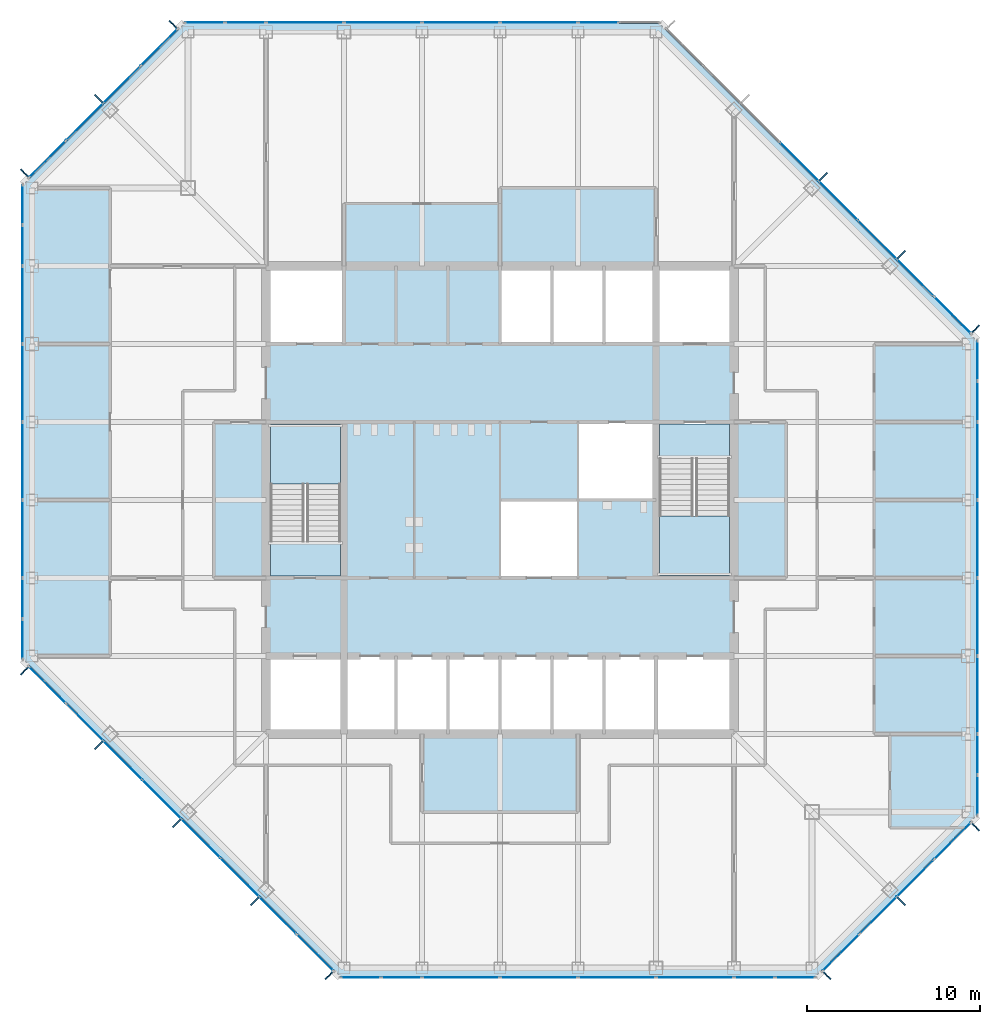
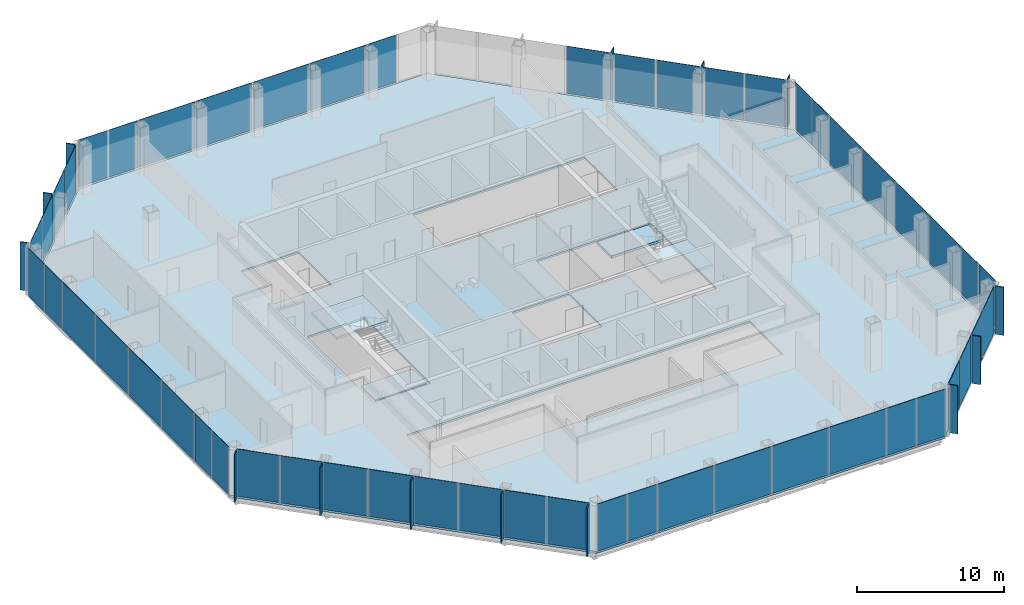
# One storey, part 7 of 13: 66 plates, 5 slabs, 10 elements without a shape of their own.
"""IFC4 building model written with IfcOpenShell, lengths in metres."""

from ifc_helpers import new_model, si_unit, direction, frame, origin, origin_2d, place, context, subcontext, project, spatial, polyline, rectangle, outline, extrude, material, layer, layer_set, type_object, element, aggregate, save


model = new_model("IFC4")

# Units and contexts
model_context = context("Model", 3, precision=1e-05, world=origin(), true_north=direction((0.0, 1.0)))
body_context = subcontext(model_context, "Body", "Model", "MODEL_VIEW")
ifc_project = project(units=[si_unit("LENGTHUNIT", "METRE"), si_unit("AREAUNIT", "SQUARE_METRE"), si_unit("VOLUMEUNIT", "CUBIC_METRE"), si_unit("PLANEANGLEUNIT", "RADIAN"), si_unit("MASSUNIT", "GRAM", prefix="KILO")], contexts=[model_context])

# Site, building, storey
site_placement = place(None, origin())
site = spatial("IfcSite", under=ifc_project, at=site_placement, CompositionType="ELEMENT")
building_placement = place(site_placement, origin())
building = spatial("IfcBuilding", under=site, at=building_placement, Name="Corais Broadcast Tower", CompositionType="ELEMENT")
storey_placement = place(building_placement, frame((0.0, 0.0, 175.60009765625)))
storey = spatial("IfcBuildingStorey", under=building, at=storey_placement, Name="L40", CompositionType="ELEMENT", Elevation=175.60009765625)

# Slab
ifc_material_1 = material(Name="Concrete C30/37", Category="concrete")
ifc_layer_1 = layer(ifc_material_1, 0.159912109375)
ifc_layer_set_1 = layer_set([ifc_layer_1], Name="Concrete C30/37")
slab_type_1 = type_object("IfcSlabType", Name="Composite floor slab 160", PredefinedType="FLOOR", material=ifc_layer_set_1)
slab_1_placement = place(storey_placement, frame((0.0, 0.0, -0.16015625)))
element("IfcSlab", 1, at=slab_1_placement, inside=storey, type_object=slab_type_1, Name="S160 floor slab L40", PredefinedType="FLOOR", context=body_context, shape_type="SweptSolid", body=[
    extrude(outline(polyline([(17.80126953125, -0.47998046875), (-0.47998046875, 17.80126953125), (-0.47998046875, 45.19873046875), (8.80126953125, 54.47998046875), (36.19873046875, 54.47998046875), (54.47998046875, 36.19873046875), (54.47998046875, 8.80126953125), (45.19873046875, -0.47998046875), (17.80126953125, -0.47998046875)]), holes=[polyline([(13.5, 18.0), (40.5, 18.0), (40.5, 13.5), (13.5, 13.5), (13.5, 18.0)]), polyline([(18.0, 22.5), (13.5, 22.5), (13.5, 31.5), (18.0, 31.5), (18.0, 22.5)]), polyline([(18.0, 36.0), (13.5, 36.0), (13.5, 40.5), (18.0, 40.5), (18.0, 36.0)]), polyline([(31.5, 22.5), (27.0, 22.5), (27.0, 27.0), (31.4951171875, 27.0), (31.4951171875, 27.0048828125), (31.5, 27.0048828125), (31.5, 31.5), (40.5, 31.5), (40.5, 22.5), (36.0, 22.5), (36.0, 27.0), (31.5048828125, 27.0), (31.5048828125, 26.9951171875), (31.5, 26.9951171875), (31.5, 22.5)]), polyline([(27.0, 40.5), (40.5, 40.5), (40.5, 36.0), (27.0, 36.0), (27.0, 40.5)])]), origin(), (0.0, 0.0, 1.0), 0.16015625),
])

# Curtain wall, plates
ifc_material_2 = material(Name="Aluminium and glass", Category="aluminium")
curtain_wall_type = type_object("IfcCurtainWallType", Name="Unitised fritted curtain wall CW2", PredefinedType="NOTDEFINED", material=ifc_material_2)
curtain_wall_1_placement = place(storey_placement, origin())
curtain_wall_1 = element("IfcCurtainWall", 2, at=curtain_wall_1_placement, inside=storey, type_object=curtain_wall_type, Name="CW2 curtain wall L40 1", PredefinedType="NOTDEFINED")
ifc_material_3 = material(Name="Ceramic-fritted laminated glass", Category="glass")
ifc_layer_2 = layer(ifc_material_3, 0.028076171875)
ifc_layer_set_2 = layer_set([ifc_layer_2], Name="Ceramic-fritted laminated glass")
plate_type_1 = type_object("IfcPlateType", Name="Fritted glass panel CW2", PredefinedType="CURTAIN_PANEL", material=ifc_layer_set_2)
plate_1_placement = place(storey_placement, frame((16.330322265625, 0.891845703125, 0.06494140625), z_axis=(0.0, 0.0, 1.0), x_axis=(-0.707106781187, 0.707106781187, 0.0)))
plate_1 = element("IfcPlate", 3, at=plate_1_placement, type_object=plate_type_1, Name="CW2 panel 1", PredefinedType="CURTAIN_PANEL", context=body_context, shape_type="SweptSolid", body=[
    extrude(rectangle(XDim=2.9482421875, YDim=0.028076171875, at=origin_2d()), origin(), (0.0, 0.0, 1.0), 3.93505859375),
])
plate_2_placement = place(storey_placement, frame((11.986083984375, 5.236083984375, 0.06494140625), z_axis=(0.0, 0.0, 1.0), x_axis=(-0.707106781187, 0.707106781187, 0.0)))
plate_2 = element("IfcPlate", 4, at=plate_2_placement, type_object=plate_type_1, Name="CW2 panel 3", PredefinedType="CURTAIN_PANEL", context=body_context, shape_type="SweptSolid", body=[
    extrude(rectangle(XDim=3.116943359375, YDim=0.028076171875, at=origin_2d()), origin(), (0.0, 0.0, 1.0), 3.93505859375),
])
plate_3_placement = place(storey_placement, frame((7.486083984375, 9.736083984375, 0.06494140625), z_axis=(0.0, 0.0, 1.0), x_axis=(-0.707106781187, 0.707106781187, 0.0)))
plate_3 = element("IfcPlate", 5, at=plate_3_placement, type_object=plate_type_1, Name="CW2 panel 5", PredefinedType="CURTAIN_PANEL", context=body_context, shape_type="SweptSolid", body=[
    extrude(rectangle(XDim=3.116943359375, YDim=0.028076171875, at=origin_2d()), origin(), (0.0, 0.0, 1.0), 3.93505859375),
])
plate_4_placement = place(storey_placement, frame((3.0341796875, 14.18798828125, 0.06494140625), z_axis=(0.0, 0.0, 1.0), x_axis=(-0.707106781187, 0.707106781187, 0.0)))
plate_4 = element("IfcPlate", 6, at=plate_4_placement, type_object=plate_type_1, Name="CW2 panel 7", PredefinedType="CURTAIN_PANEL", context=body_context, shape_type="SweptSolid", body=[
    extrude(rectangle(XDim=2.98095703125, YDim=0.028076171875, at=origin_2d()), origin(), (0.0, 0.0, 1.0), 3.93505859375),
])

curtain_wall_2_placement = place(storey_placement, origin())
curtain_wall_2 = element("IfcCurtainWall", 7, at=curtain_wall_2_placement, inside=storey, type_object=curtain_wall_type, Name="CW2 curtain wall L40 2", PredefinedType="NOTDEFINED")
plate_5_placement = place(storey_placement, frame((-0.550048828125, 18.970458984375, 0.06494140625), z_axis=(0.0, 0.0, 1.0), x_axis=(0.0, 1.0, 0.0)))
plate_5 = element("IfcPlate", 8, at=plate_5_placement, type_object=plate_type_1, Name="CW2 panel 1", PredefinedType="CURTAIN_PANEL", context=body_context, shape_type="SweptSolid", body=[
    extrude(rectangle(XDim=2.266357421875, YDim=0.028076171875, at=origin_2d()), origin(), (0.0, 0.0, 1.0), 3.93505859375),
])
plate_6_placement = place(storey_placement, frame((-0.550048828125, 24.75, 0.06494140625), z_axis=(0.0, 0.0, 1.0), x_axis=(0.0, 1.0, 0.0)))
plate_6 = element("IfcPlate", 9, at=plate_6_placement, type_object=plate_type_1, Name="CW2 panel 3", PredefinedType="CURTAIN_PANEL", context=body_context, shape_type="SweptSolid", body=[
    extrude(rectangle(XDim=4.43505859375, YDim=0.028076171875, at=origin_2d()), origin(), (0.0, 0.0, 1.0), 3.93505859375),
])
plate_7_placement = place(storey_placement, frame((-0.550048828125, 33.75, 0.06494140625), z_axis=(0.0, 0.0, 1.0), x_axis=(0.0, 1.0, 0.0)))
plate_7 = element("IfcPlate", 10, at=plate_7_placement, type_object=plate_type_1, Name="CW2 panel 5", PredefinedType="CURTAIN_PANEL", context=body_context, shape_type="SweptSolid", body=[
    extrude(rectangle(XDim=4.43505859375, YDim=0.028076171875, at=origin_2d()), origin(), (0.0, 0.0, 1.0), 3.93505859375),
])
plate_8_placement = place(storey_placement, frame((-0.550048828125, 41.681884765625, 0.06494140625), z_axis=(0.0, 0.0, 1.0), x_axis=(0.0, 1.0, 0.0)))
plate_8 = element("IfcPlate", 11, at=plate_8_placement, type_object=plate_type_1, Name="CW2 panel 7", PredefinedType="CURTAIN_PANEL", context=body_context, shape_type="SweptSolid", body=[
    extrude(rectangle(XDim=2.298828125, YDim=0.028076171875, at=origin_2d()), origin(), (0.0, 0.0, 1.0), 3.93505859375),
])

curtain_wall_3_placement = place(storey_placement, origin())
curtain_wall_3 = element("IfcCurtainWall", 12, at=curtain_wall_3_placement, inside=storey, type_object=curtain_wall_type, Name="CW2 curtain wall L40 3", PredefinedType="NOTDEFINED")
plate_9_placement = place(storey_placement, frame((0.891845703125, 46.669677734375, 0.06494140625), z_axis=(0.0, 0.0, 1.0), x_axis=(0.707106781187, 0.707106781187, 0.0)))
plate_9 = element("IfcPlate", 13, at=plate_9_placement, type_object=plate_type_1, Name="CW2 panel 1", PredefinedType="CURTAIN_PANEL", context=body_context, shape_type="SweptSolid", body=[
    extrude(rectangle(XDim=2.9482421875, YDim=0.028076171875, at=origin_2d()), origin(), (0.0, 0.0, 1.0), 3.93505859375),
])
plate_10_placement = place(storey_placement, frame((5.18798828125, 50.9658203125, 0.06494140625), z_axis=(0.0, 0.0, 1.0), x_axis=(0.707106781187, 0.707106781187, 0.0)))
plate_10 = element("IfcPlate", 14, at=plate_10_placement, type_object=plate_type_1, Name="CW2 panel 3", PredefinedType="CURTAIN_PANEL", context=body_context, shape_type="SweptSolid", body=[
    extrude(rectangle(XDim=2.98095703125, YDim=0.028076171875, at=origin_2d()), origin(), (0.0, 0.0, 1.0), 3.93505859375),
])

curtain_wall_4_placement = place(storey_placement, origin())
curtain_wall_4 = element("IfcCurtainWall", 15, at=curtain_wall_4_placement, inside=storey, type_object=curtain_wall_type, Name="CW2 curtain wall L40 4", PredefinedType="NOTDEFINED")
plate_11_placement = place(storey_placement, frame((9.970458984375, 54.550048828125, 0.06494140625), z_axis=(0.0, 0.0, 1.0), x_axis=(1.0, 0.0, 0.0)))
plate_11 = element("IfcPlate", 16, at=plate_11_placement, type_object=plate_type_1, Name="CW2 panel 1", PredefinedType="CURTAIN_PANEL", context=body_context, shape_type="SweptSolid", body=[
    extrude(rectangle(XDim=2.266357421875, YDim=0.028076171875, at=origin_2d()), origin(), (0.0, 0.0, 1.0), 3.93505859375),
])
plate_12_placement = place(storey_placement, frame((15.75, 54.550048828125, 0.06494140625), z_axis=(0.0, 0.0, 1.0), x_axis=(1.0, 0.0, 0.0)))
plate_12 = element("IfcPlate", 17, at=plate_12_placement, type_object=plate_type_1, Name="CW2 panel 3", PredefinedType="CURTAIN_PANEL", context=body_context, shape_type="SweptSolid", body=[
    extrude(rectangle(XDim=4.43505859375, YDim=0.028076171875, at=origin_2d()), origin(), (0.0, 0.0, 1.0), 3.93505859375),
])
plate_13_placement = place(storey_placement, frame((24.75, 54.550048828125, 0.06494140625), z_axis=(0.0, 0.0, 1.0), x_axis=(1.0, 0.0, 0.0)))
plate_13 = element("IfcPlate", 18, at=plate_13_placement, type_object=plate_type_1, Name="CW2 panel 5", PredefinedType="CURTAIN_PANEL", context=body_context, shape_type="SweptSolid", body=[
    extrude(rectangle(XDim=4.43505859375, YDim=0.028076171875, at=origin_2d()), origin(), (0.0, 0.0, 1.0), 3.93505859375),
])
plate_14_placement = place(storey_placement, frame((32.681884765625, 54.550048828125, 0.06494140625), z_axis=(0.0, 0.0, 1.0), x_axis=(1.0, 0.0, 0.0)))
plate_14 = element("IfcPlate", 19, at=plate_14_placement, type_object=plate_type_1, Name="CW2 panel 7", PredefinedType="CURTAIN_PANEL", context=body_context, shape_type="SweptSolid", body=[
    extrude(rectangle(XDim=2.298828125, YDim=0.028076171875, at=origin_2d()), origin(), (0.0, 0.0, 1.0), 3.93505859375),
])

curtain_wall_5_placement = place(storey_placement, origin())
curtain_wall_5 = element("IfcCurtainWall", 20, at=curtain_wall_5_placement, inside=storey, type_object=curtain_wall_type, Name="CW2 curtain wall L40 5", PredefinedType="NOTDEFINED")
plate_15_placement = place(storey_placement, frame((46.513916015625, 44.263916015625, 0.06494140625), z_axis=(0.0, 0.0, 1.0), x_axis=(0.707106781187, -0.707106781187, 0.0)))
plate_15 = element("IfcPlate", 21, at=plate_15_placement, type_object=plate_type_1, Name="CW2 panel 5", PredefinedType="CURTAIN_PANEL", context=body_context, shape_type="SweptSolid", body=[
    extrude(rectangle(XDim=3.116943359375, YDim=0.028076171875, at=origin_2d()), origin(), (0.0, 0.0, 1.0), 3.93505859375),
])
plate_16_placement = place(storey_placement, frame((50.9658203125, 39.81201171875, 0.06494140625), z_axis=(0.0, 0.0, 1.0), x_axis=(0.707106781187, -0.707106781187, 0.0)))
plate_16 = element("IfcPlate", 22, at=plate_16_placement, type_object=plate_type_1, Name="CW2 panel 7", PredefinedType="CURTAIN_PANEL", context=body_context, shape_type="SweptSolid", body=[
    extrude(rectangle(XDim=2.98095703125, YDim=0.028076171875, at=origin_2d()), origin(), (0.0, 0.0, 1.0), 3.93505859375),
])

curtain_wall_6_placement = place(storey_placement, origin())
curtain_wall_6 = element("IfcCurtainWall", 23, at=curtain_wall_6_placement, inside=storey, type_object=curtain_wall_type, Name="CW2 curtain wall L40 6", PredefinedType="NOTDEFINED")
plate_17_placement = place(storey_placement, frame((54.550048828125, 35.029541015625, 0.06494140625), z_axis=(0.0, 0.0, 1.0), x_axis=(0.0, -1.0, 0.0)))
plate_17 = element("IfcPlate", 24, at=plate_17_placement, type_object=plate_type_1, Name="CW2 panel 1", PredefinedType="CURTAIN_PANEL", context=body_context, shape_type="SweptSolid", body=[
    extrude(rectangle(XDim=2.266357421875, YDim=0.028076171875, at=origin_2d()), origin(), (0.0, 0.0, 1.0), 3.93505859375),
])
plate_18_placement = place(storey_placement, frame((54.550048828125, 29.25, 0.06494140625), z_axis=(0.0, 0.0, 1.0), x_axis=(0.0, -1.0, 0.0)))
plate_18 = element("IfcPlate", 25, at=plate_18_placement, type_object=plate_type_1, Name="CW2 panel 3", PredefinedType="CURTAIN_PANEL", context=body_context, shape_type="SweptSolid", body=[
    extrude(rectangle(XDim=4.43505859375, YDim=0.028076171875, at=origin_2d()), origin(), (0.0, 0.0, 1.0), 3.93505859375),
])
plate_19_placement = place(storey_placement, frame((54.550048828125, 20.25, 0.06494140625), z_axis=(0.0, 0.0, 1.0), x_axis=(0.0, -1.0, 0.0)))
plate_19 = element("IfcPlate", 26, at=plate_19_placement, type_object=plate_type_1, Name="CW2 panel 5", PredefinedType="CURTAIN_PANEL", context=body_context, shape_type="SweptSolid", body=[
    extrude(rectangle(XDim=4.43505859375, YDim=0.028076171875, at=origin_2d()), origin(), (0.0, 0.0, 1.0), 3.93505859375),
])
plate_20_placement = place(storey_placement, frame((54.550048828125, 12.318115234375, 0.06494140625), z_axis=(0.0, 0.0, 1.0), x_axis=(0.0, -1.0, 0.0)))
plate_20 = element("IfcPlate", 27, at=plate_20_placement, type_object=plate_type_1, Name="CW2 panel 7", PredefinedType="CURTAIN_PANEL", context=body_context, shape_type="SweptSolid", body=[
    extrude(rectangle(XDim=2.298828125, YDim=0.028076171875, at=origin_2d()), origin(), (0.0, 0.0, 1.0), 3.93505859375),
])

curtain_wall_7_placement = place(storey_placement, origin())
curtain_wall_7 = element("IfcCurtainWall", 28, at=curtain_wall_7_placement, inside=storey, type_object=curtain_wall_type, Name="CW2 curtain wall L40 7", PredefinedType="NOTDEFINED")
plate_21_placement = place(storey_placement, frame((53.108154296875, 7.330322265625, 0.06494140625), z_axis=(0.0, 0.0, 1.0), x_axis=(-0.707106781187, -0.707106781187, 0.0)))
plate_21 = element("IfcPlate", 29, at=plate_21_placement, type_object=plate_type_1, Name="CW2 panel 1", PredefinedType="CURTAIN_PANEL", context=body_context, shape_type="SweptSolid", body=[
    extrude(rectangle(XDim=2.9482421875, YDim=0.028076171875, at=origin_2d()), origin(), (0.0, 0.0, 1.0), 3.93505859375),
])
plate_22_placement = place(storey_placement, frame((48.81201171875, 3.0341796875, 0.06494140625), z_axis=(0.0, 0.0, 1.0), x_axis=(-0.707106781187, -0.707106781187, 0.0)))
plate_22 = element("IfcPlate", 30, at=plate_22_placement, type_object=plate_type_1, Name="CW2 panel 3", PredefinedType="CURTAIN_PANEL", context=body_context, shape_type="SweptSolid", body=[
    extrude(rectangle(XDim=2.98095703125, YDim=0.028076171875, at=origin_2d()), origin(), (0.0, 0.0, 1.0), 3.93505859375),
])

curtain_wall_8_placement = place(storey_placement, origin())
curtain_wall_8 = element("IfcCurtainWall", 31, at=curtain_wall_8_placement, inside=storey, type_object=curtain_wall_type, Name="CW2 curtain wall L40 8", PredefinedType="NOTDEFINED")
plate_23_placement = place(storey_placement, frame((44.029541015625, -0.550048828125, 0.06494140625), z_axis=(0.0, 0.0, 1.0), x_axis=(-1.0, 0.0, 0.0)))
plate_23 = element("IfcPlate", 32, at=plate_23_placement, type_object=plate_type_1, Name="CW2 panel 1", PredefinedType="CURTAIN_PANEL", context=body_context, shape_type="SweptSolid", body=[
    extrude(rectangle(XDim=2.266357421875, YDim=0.028076171875, at=origin_2d()), origin(), (0.0, 0.0, 1.0), 3.93505859375),
])
plate_24_placement = place(storey_placement, frame((38.25, -0.550048828125, 0.06494140625), z_axis=(0.0, 0.0, 1.0), x_axis=(-1.0, 0.0, 0.0)))
plate_24 = element("IfcPlate", 33, at=plate_24_placement, type_object=plate_type_1, Name="CW2 panel 3", PredefinedType="CURTAIN_PANEL", context=body_context, shape_type="SweptSolid", body=[
    extrude(rectangle(XDim=4.43505859375, YDim=0.028076171875, at=origin_2d()), origin(), (0.0, 0.0, 1.0), 3.93505859375),
])
plate_25_placement = place(storey_placement, frame((29.25, -0.550048828125, 0.06494140625), z_axis=(0.0, 0.0, 1.0), x_axis=(-1.0, 0.0, 0.0)))
plate_25 = element("IfcPlate", 34, at=plate_25_placement, type_object=plate_type_1, Name="CW2 panel 5", PredefinedType="CURTAIN_PANEL", context=body_context, shape_type="SweptSolid", body=[
    extrude(rectangle(XDim=4.43505859375, YDim=0.028076171875, at=origin_2d()), origin(), (0.0, 0.0, 1.0), 3.93505859375),
])
plate_26_placement = place(storey_placement, frame((21.318115234375, -0.550048828125, 0.06494140625), z_axis=(0.0, 0.0, 1.0), x_axis=(-1.0, 0.0, 0.0)))
plate_26 = element("IfcPlate", 35, at=plate_26_placement, type_object=plate_type_1, Name="CW2 panel 7", PredefinedType="CURTAIN_PANEL", context=body_context, shape_type="SweptSolid", body=[
    extrude(rectangle(XDim=2.298828125, YDim=0.028076171875, at=origin_2d()), origin(), (0.0, 0.0, 1.0), 3.93505859375),
])

# Plate
ifc_material_4 = material(Name="Clear laminated glass", Category="glass")
ifc_layer_3 = layer(ifc_material_4, 0.031982421875)
ifc_layer_set_3 = layer_set([ifc_layer_3], Name="Clear laminated glass")
plate_type_2 = type_object("IfcPlateType", Name="Operable glass panel CW2", PredefinedType="CURTAIN_PANEL", material=ifc_layer_set_3)
plate_27_placement = place(storey_placement, frame((14.18798828125, 3.0341796875, 0.06494140625), z_axis=(0.0, 0.0, 1.0), x_axis=(-0.707106781187, 0.707106781187, 0.0)))
plate_27 = element("IfcPlate", 36, at=plate_27_placement, type_object=plate_type_2, Name="CW2 operable panel 2", PredefinedType="CURTAIN_PANEL", context=body_context, shape_type="SweptSolid", body=[
    extrude(rectangle(XDim=2.98095703125, YDim=0.031982421875, at=origin_2d()), origin(), (0.0, 0.0, 1.0), 3.93505859375),
])

plate_28_placement = place(storey_placement, frame((9.736083984375, 7.486083984375, 0.06494140625), z_axis=(0.0, 0.0, 1.0), x_axis=(-0.707106781187, 0.707106781187, 0.0)))
plate_28 = element("IfcPlate", 37, at=plate_28_placement, type_object=plate_type_2, Name="CW2 operable panel 4", PredefinedType="CURTAIN_PANEL", context=body_context, shape_type="SweptSolid", body=[
    extrude(rectangle(XDim=3.116943359375, YDim=0.031982421875, at=origin_2d()), origin(), (0.0, 0.0, 1.0), 3.93505859375),
])

plate_29_placement = place(storey_placement, frame((5.236083984375, 11.986083984375, 0.06494140625), z_axis=(0.0, 0.0, 1.0), x_axis=(-0.707106781187, 0.707106781187, 0.0)))
plate_29 = element("IfcPlate", 38, at=plate_29_placement, type_object=plate_type_2, Name="CW2 operable panel 6", PredefinedType="CURTAIN_PANEL", context=body_context, shape_type="SweptSolid", body=[
    extrude(rectangle(XDim=3.116943359375, YDim=0.031982421875, at=origin_2d()), origin(), (0.0, 0.0, 1.0), 3.93505859375),
])

plate_30_placement = place(storey_placement, frame((0.89208984375, 16.330322265625, 0.06494140625), z_axis=(0.0, 0.0, 1.0), x_axis=(-0.707106781187, 0.707106781187, 0.0)))
plate_30 = element("IfcPlate", 39, at=plate_30_placement, type_object=plate_type_2, Name="CW2 operable panel 8", PredefinedType="CURTAIN_PANEL", context=body_context, shape_type="SweptSolid", body=[
    extrude(rectangle(XDim=2.948486328125, YDim=0.031982421875, at=origin_2d()), origin(), (0.0, 0.0, 1.0), 3.93505859375),
])

aggregate(curtain_wall_1, [plate_1, plate_27, plate_2, plate_28, plate_3, plate_29, plate_4, plate_30])

plate_31_placement = place(storey_placement, frame((-0.550048828125, 21.318115234375, 0.06494140625), z_axis=(0.0, 0.0, 1.0), x_axis=(0.0, 1.0, 0.0)))
plate_31 = element("IfcPlate", 40, at=plate_31_placement, type_object=plate_type_2, Name="CW2 operable panel 2", PredefinedType="CURTAIN_PANEL", context=body_context, shape_type="SweptSolid", body=[
    extrude(rectangle(XDim=2.298828125, YDim=0.031982421875, at=origin_2d()), origin(), (0.0, 0.0, 1.0), 3.93505859375),
])

plate_32_placement = place(storey_placement, frame((-0.550048828125, 29.25, 0.06494140625), z_axis=(0.0, 0.0, 1.0), x_axis=(0.0, 1.0, 0.0)))
plate_32 = element("IfcPlate", 41, at=plate_32_placement, type_object=plate_type_2, Name="CW2 operable panel 4", PredefinedType="CURTAIN_PANEL", context=body_context, shape_type="SweptSolid", body=[
    extrude(rectangle(XDim=4.43505859375, YDim=0.031982421875, at=origin_2d()), origin(), (0.0, 0.0, 1.0), 3.93505859375),
])

plate_33_placement = place(storey_placement, frame((-0.550048828125, 38.25, 0.06494140625), z_axis=(0.0, 0.0, 1.0), x_axis=(0.0, 1.0, 0.0)))
plate_33 = element("IfcPlate", 42, at=plate_33_placement, type_object=plate_type_2, Name="CW2 operable panel 6", PredefinedType="CURTAIN_PANEL", context=body_context, shape_type="SweptSolid", body=[
    extrude(rectangle(XDim=4.43505859375, YDim=0.031982421875, at=origin_2d()), origin(), (0.0, 0.0, 1.0), 3.93505859375),
])

plate_34_placement = place(storey_placement, frame((-0.550048828125, 44.029541015625, 0.06494140625), z_axis=(0.0, 0.0, 1.0), x_axis=(0.0, 1.0, 0.0)))
plate_34 = element("IfcPlate", 43, at=plate_34_placement, type_object=plate_type_2, Name="CW2 operable panel 8", PredefinedType="CURTAIN_PANEL", context=body_context, shape_type="SweptSolid", body=[
    extrude(rectangle(XDim=2.266357421875, YDim=0.031982421875, at=origin_2d()), origin(), (0.0, 0.0, 1.0), 3.93505859375),
])

aggregate(curtain_wall_2, [plate_5, plate_31, plate_6, plate_32, plate_7, plate_33, plate_8, plate_34])

plate_35_placement = place(storey_placement, frame((3.0341796875, 48.81201171875, 0.06494140625), z_axis=(0.0, 0.0, 1.0), x_axis=(0.707106781187, 0.707106781187, 0.0)))
plate_35 = element("IfcPlate", 44, at=plate_35_placement, type_object=plate_type_2, Name="CW2 operable panel 2", PredefinedType="CURTAIN_PANEL", context=body_context, shape_type="SweptSolid", body=[
    extrude(rectangle(XDim=2.98095703125, YDim=0.031982421875, at=origin_2d()), origin(), (0.0, 0.0, 1.0), 3.93505859375),
])

plate_36_placement = place(storey_placement, frame((7.330322265625, 53.10791015625, 0.06494140625), z_axis=(0.0, 0.0, 1.0), x_axis=(0.707106781187, 0.707106781187, 0.0)))
plate_36 = element("IfcPlate", 45, at=plate_36_placement, type_object=plate_type_2, Name="CW2 operable panel 4", PredefinedType="CURTAIN_PANEL", context=body_context, shape_type="SweptSolid", body=[
    extrude(rectangle(XDim=2.948486328125, YDim=0.031982421875, at=origin_2d()), origin(), (0.0, 0.0, 1.0), 3.93505859375),
])

aggregate(curtain_wall_3, [plate_9, plate_35, plate_10, plate_36])

plate_37_placement = place(storey_placement, frame((12.318115234375, 54.550048828125, 0.06494140625), z_axis=(0.0, 0.0, 1.0), x_axis=(1.0, 0.0, 0.0)))
plate_37 = element("IfcPlate", 46, at=plate_37_placement, type_object=plate_type_2, Name="CW2 operable panel 2", PredefinedType="CURTAIN_PANEL", context=body_context, shape_type="SweptSolid", body=[
    extrude(rectangle(XDim=2.298828125, YDim=0.031982421875, at=origin_2d()), origin(), (0.0, 0.0, 1.0), 3.93505859375),
])

plate_38_placement = place(storey_placement, frame((20.25, 54.550048828125, 0.06494140625), z_axis=(0.0, 0.0, 1.0), x_axis=(1.0, 0.0, 0.0)))
plate_38 = element("IfcPlate", 47, at=plate_38_placement, type_object=plate_type_2, Name="CW2 operable panel 4", PredefinedType="CURTAIN_PANEL", context=body_context, shape_type="SweptSolid", body=[
    extrude(rectangle(XDim=4.43505859375, YDim=0.031982421875, at=origin_2d()), origin(), (0.0, 0.0, 1.0), 3.93505859375),
])

plate_39_placement = place(storey_placement, frame((29.25, 54.550048828125, 0.06494140625), z_axis=(0.0, 0.0, 1.0), x_axis=(1.0, 0.0, 0.0)))
plate_39 = element("IfcPlate", 48, at=plate_39_placement, type_object=plate_type_2, Name="CW2 operable panel 6", PredefinedType="CURTAIN_PANEL", context=body_context, shape_type="SweptSolid", body=[
    extrude(rectangle(XDim=4.43505859375, YDim=0.031982421875, at=origin_2d()), origin(), (0.0, 0.0, 1.0), 3.93505859375),
])

aggregate(curtain_wall_4, [plate_11, plate_37, plate_12, plate_38, plate_13, plate_39, plate_14])

plate_40_placement = place(storey_placement, frame((44.263916015625, 46.513916015625, 0.06494140625), z_axis=(0.0, 0.0, 1.0), x_axis=(0.707106781187, -0.707106781187, 0.0)))
plate_40 = element("IfcPlate", 49, at=plate_40_placement, type_object=plate_type_2, Name="CW2 operable panel 4", PredefinedType="CURTAIN_PANEL", context=body_context, shape_type="SweptSolid", body=[
    extrude(rectangle(XDim=3.116943359375, YDim=0.031982421875, at=origin_2d()), origin(), (0.0, 0.0, 1.0), 3.93505859375),
])

plate_41_placement = place(storey_placement, frame((48.763916015625, 42.013916015625, 0.06494140625), z_axis=(0.0, 0.0, 1.0), x_axis=(0.707106781187, -0.707106781187, 0.0)))
plate_41 = element("IfcPlate", 50, at=plate_41_placement, type_object=plate_type_2, Name="CW2 operable panel 6", PredefinedType="CURTAIN_PANEL", context=body_context, shape_type="SweptSolid", body=[
    extrude(rectangle(XDim=3.116943359375, YDim=0.031982421875, at=origin_2d()), origin(), (0.0, 0.0, 1.0), 3.93505859375),
])

plate_42_placement = place(storey_placement, frame((53.10791015625, 37.669677734375, 0.06494140625), z_axis=(0.0, 0.0, 1.0), x_axis=(0.707106781187, -0.707106781187, 0.0)))
plate_42 = element("IfcPlate", 51, at=plate_42_placement, type_object=plate_type_2, Name="CW2 operable panel 8", PredefinedType="CURTAIN_PANEL", context=body_context, shape_type="SweptSolid", body=[
    extrude(rectangle(XDim=2.948486328125, YDim=0.031982421875, at=origin_2d()), origin(), (0.0, 0.0, 1.0), 3.93505859375),
])

aggregate(curtain_wall_5, [plate_40, plate_15, plate_41, plate_16, plate_42])

plate_43_placement = place(storey_placement, frame((54.550048828125, 32.681884765625, 0.06494140625), z_axis=(0.0, 0.0, 1.0), x_axis=(0.0, -1.0, 0.0)))
plate_43 = element("IfcPlate", 52, at=plate_43_placement, type_object=plate_type_2, Name="CW2 operable panel 2", PredefinedType="CURTAIN_PANEL", context=body_context, shape_type="SweptSolid", body=[
    extrude(rectangle(XDim=2.298828125, YDim=0.031982421875, at=origin_2d()), origin(), (0.0, 0.0, 1.0), 3.93505859375),
])

plate_44_placement = place(storey_placement, frame((54.550048828125, 24.75, 0.06494140625), z_axis=(0.0, 0.0, 1.0), x_axis=(0.0, -1.0, 0.0)))
plate_44 = element("IfcPlate", 53, at=plate_44_placement, type_object=plate_type_2, Name="CW2 operable panel 4", PredefinedType="CURTAIN_PANEL", context=body_context, shape_type="SweptSolid", body=[
    extrude(rectangle(XDim=4.43505859375, YDim=0.031982421875, at=origin_2d()), origin(), (0.0, 0.0, 1.0), 3.93505859375),
])

plate_45_placement = place(storey_placement, frame((54.550048828125, 15.75, 0.06494140625), z_axis=(0.0, 0.0, 1.0), x_axis=(0.0, -1.0, 0.0)))
plate_45 = element("IfcPlate", 54, at=plate_45_placement, type_object=plate_type_2, Name="CW2 operable panel 6", PredefinedType="CURTAIN_PANEL", context=body_context, shape_type="SweptSolid", body=[
    extrude(rectangle(XDim=4.43505859375, YDim=0.031982421875, at=origin_2d()), origin(), (0.0, 0.0, 1.0), 3.93505859375),
])

plate_46_placement = place(storey_placement, frame((54.550048828125, 9.970458984375, 0.06494140625), z_axis=(0.0, 0.0, 1.0), x_axis=(0.0, -1.0, 0.0)))
plate_46 = element("IfcPlate", 55, at=plate_46_placement, type_object=plate_type_2, Name="CW2 operable panel 8", PredefinedType="CURTAIN_PANEL", context=body_context, shape_type="SweptSolid", body=[
    extrude(rectangle(XDim=2.266357421875, YDim=0.031982421875, at=origin_2d()), origin(), (0.0, 0.0, 1.0), 3.93505859375),
])

aggregate(curtain_wall_6, [plate_17, plate_43, plate_18, plate_44, plate_19, plate_45, plate_20, plate_46])

plate_47_placement = place(storey_placement, frame((50.9658203125, 5.18798828125, 0.06494140625), z_axis=(0.0, 0.0, 1.0), x_axis=(-0.707106781187, -0.707106781187, 0.0)))
plate_47 = element("IfcPlate", 56, at=plate_47_placement, type_object=plate_type_2, Name="CW2 operable panel 2", PredefinedType="CURTAIN_PANEL", context=body_context, shape_type="SweptSolid", body=[
    extrude(rectangle(XDim=2.98095703125, YDim=0.031982421875, at=origin_2d()), origin(), (0.0, 0.0, 1.0), 3.93505859375),
])

plate_48_placement = place(storey_placement, frame((46.669677734375, 0.89208984375, 0.06494140625), z_axis=(0.0, 0.0, 1.0), x_axis=(-0.707106781187, -0.707106781187, 0.0)))
plate_48 = element("IfcPlate", 57, at=plate_48_placement, type_object=plate_type_2, Name="CW2 operable panel 4", PredefinedType="CURTAIN_PANEL", context=body_context, shape_type="SweptSolid", body=[
    extrude(rectangle(XDim=2.948486328125, YDim=0.031982421875, at=origin_2d()), origin(), (0.0, 0.0, 1.0), 3.93505859375),
])

aggregate(curtain_wall_7, [plate_21, plate_47, plate_22, plate_48])

plate_49_placement = place(storey_placement, frame((41.681884765625, -0.550048828125, 0.06494140625), z_axis=(0.0, 0.0, 1.0), x_axis=(-1.0, 0.0, 0.0)))
plate_49 = element("IfcPlate", 58, at=plate_49_placement, type_object=plate_type_2, Name="CW2 operable panel 2", PredefinedType="CURTAIN_PANEL", context=body_context, shape_type="SweptSolid", body=[
    extrude(rectangle(XDim=2.298828125, YDim=0.031982421875, at=origin_2d()), origin(), (0.0, 0.0, 1.0), 3.93505859375),
])

plate_50_placement = place(storey_placement, frame((33.75, -0.550048828125, 0.06494140625), z_axis=(0.0, 0.0, 1.0), x_axis=(-1.0, 0.0, 0.0)))
plate_50 = element("IfcPlate", 59, at=plate_50_placement, type_object=plate_type_2, Name="CW2 operable panel 4", PredefinedType="CURTAIN_PANEL", context=body_context, shape_type="SweptSolid", body=[
    extrude(rectangle(XDim=4.43505859375, YDim=0.031982421875, at=origin_2d()), origin(), (0.0, 0.0, 1.0), 3.93505859375),
])

plate_51_placement = place(storey_placement, frame((24.75, -0.550048828125, 0.06494140625), z_axis=(0.0, 0.0, 1.0), x_axis=(-1.0, 0.0, 0.0)))
plate_51 = element("IfcPlate", 60, at=plate_51_placement, type_object=plate_type_2, Name="CW2 operable panel 6", PredefinedType="CURTAIN_PANEL", context=body_context, shape_type="SweptSolid", body=[
    extrude(rectangle(XDim=4.43505859375, YDim=0.031982421875, at=origin_2d()), origin(), (0.0, 0.0, 1.0), 3.93505859375),
])

plate_52_placement = place(storey_placement, frame((18.970458984375, -0.550048828125, 0.06494140625), z_axis=(0.0, 0.0, 1.0), x_axis=(-1.0, 0.0, 0.0)))
plate_52 = element("IfcPlate", 61, at=plate_52_placement, type_object=plate_type_2, Name="CW2 operable panel 8", PredefinedType="CURTAIN_PANEL", context=body_context, shape_type="SweptSolid", body=[
    extrude(rectangle(XDim=2.266357421875, YDim=0.031982421875, at=origin_2d()), origin(), (0.0, 0.0, 1.0), 3.93505859375),
])

aggregate(curtain_wall_8, [plate_23, plate_49, plate_24, plate_50, plate_25, plate_51, plate_26, plate_52])

# Stair, slabs
ifc_material_5 = material(Name="Concrete C30/37", Category="concrete")
stair_type = type_object("IfcStairType", Name="Half-turn stair 4000", PredefinedType="HALF_TURN_STAIR", material=ifc_material_5)
stair_1_placement = place(storey_placement, origin())
stair_1 = element("IfcStair", 62, at=stair_1_placement, inside=storey, type_object=stair_type, Name="Stair A L40", PredefinedType="HALF_TURN_STAIR")
ifc_material_6 = material(Name="Concrete C30/37", Category="concrete")
ifc_layer_4 = layer(ifc_material_6, 0.199951171875)
ifc_layer_set_4 = layer_set([ifc_layer_4], Name="Concrete C30/37")
slab_type_2 = type_object("IfcSlabType", Name="Stair landing 200", PredefinedType="LANDING", material=ifc_layer_set_4)
slab_2_placement = place(storey_placement, frame((0.0, 0.0, -0.2001953125)))
slab_2 = element("IfcSlab", 63, at=slab_2_placement, type_object=slab_type_2, Name="STA landing 1", PredefinedType="LANDING", context=body_context, shape_type="SweptSolid", body=[
    extrude(outline(polyline([(13.75, 22.625), (17.800048828125, 22.625), (17.800048828125, 24.60009765625), (13.75, 24.60009765625), (13.75, 22.625)])), origin(), (0.0, 0.0, 1.0), 0.2001953125),
])
slab_3_placement = place(storey_placement, frame((0.0, 0.0, 1.7998046875)))
slab_3 = element("IfcSlab", 64, at=slab_3_placement, type_object=slab_type_2, Name="STA landing 2", PredefinedType="LANDING", context=body_context, shape_type="SweptSolid", body=[
    extrude(outline(polyline([(13.75, 27.922119140625), (17.800048828125, 27.922119140625), (17.800048828125, 31.375), (13.75, 31.375), (13.75, 27.922119140625)])), origin(), (0.0, 0.0, 1.0), 0.2001953125),
])
aggregate(stair_1, [slab_2, slab_3])

stair_2_placement = place(storey_placement, origin())
stair_2 = element("IfcStair", 65, at=stair_2_placement, inside=storey, type_object=stair_type, Name="Stair B L40", PredefinedType="HALF_TURN_STAIR")
slab_4_placement = place(storey_placement, frame((0.0, 0.0, -0.2001953125)))
slab_4 = element("IfcSlab", 66, at=slab_4_placement, type_object=slab_type_2, Name="STB landing 1", PredefinedType="LANDING", context=body_context, shape_type="SweptSolid", body=[
    extrude(outline(polyline([(36.199951171875, 29.39990234375), (40.25, 29.39990234375), (40.25, 31.375), (36.199951171875, 31.375), (36.199951171875, 29.39990234375)])), origin(), (0.0, 0.0, 1.0), 0.2001953125),
])
slab_5_placement = place(storey_placement, frame((0.0, 0.0, 1.7998046875)))
slab_5 = element("IfcSlab", 67, at=slab_5_placement, type_object=slab_type_2, Name="STB landing 2", PredefinedType="LANDING", context=body_context, shape_type="SweptSolid", body=[
    extrude(outline(polyline([(36.199951171875, 22.625), (40.25, 22.625), (40.25, 26.077880859375), (36.199951171875, 26.077880859375), (36.199951171875, 22.625)])), origin(), (0.0, 0.0, 1.0), 0.2001953125),
])
aggregate(stair_2, [slab_4, slab_5])

# Plates
ifc_material_7 = material(Name="Granite stone cladding", Category="masonry")
ifc_layer_5 = layer(ifc_material_7, 0.080078125)
ifc_layer_set_5 = layer_set([ifc_layer_5], Name="Granite stone cladding")
plate_type_3 = type_object("IfcPlateType", Name="Stone screen fin 80x600", PredefinedType="USERDEFINED", material=ifc_layer_set_5)
for number, where, z_axis, x_axis, name in (
    (68, (17.1220703125, -0.447021484375, 0.0), (0.0, 0.0, 1.0), (-0.707106781187, 0.707106781187, 0.0), "SF1 stone screen fin L40"),
    (69, (12.83740234375, 3.83740234375, 0.0), (0.0, 0.0, 1.0), (-0.707106781187, 0.707106781187, 0.0), "SF1 stone screen fin L40"),
    (70, (8.33740234375, 8.33740234375, 0.0), (0.0, 0.0, 1.0), (-0.707106781187, 0.707106781187, 0.0), "SF1 stone screen fin L40"),
    (71, (3.83740234375, 12.83740234375, 0.0), (0.0, 0.0, 1.0), (-0.707106781187, 0.707106781187, 0.0), "SF1 stone screen fin L40"),
    (72, (-0.447021484375, 17.1220703125, 0.0), (0.0, 0.0, 1.0), (-0.707106781187, 0.707106781187, 0.0), "SF1 stone screen fin L40"),
    (73, (-0.447021484375, 45.8779296875, 0.0), (0.0, 0.0, 1.0), (0.707106781187, 0.707106781187, 0.0), "SF1 stone screen fin L40"),
    (74, (3.83740234375, 50.16259765625, 0.0), (0.0, 0.0, 1.0), (0.707106781187, 0.707106781187, 0.0), "SF1 stone screen fin L40"),
    (75, (8.1220703125, 54.447021484375, 0.0), (0.0, 0.0, 1.0), (0.707106781187, 0.707106781187, 0.0), "SF1 stone screen fin L40"),
    (76, (45.66259765625, 45.66259765625, 0.0), (0.0, 0.0, 1.0), (0.707106781187, -0.707106781187, 0.0), "SF1 stone screen fin L40"),
    (77, (50.16259765625, 41.16259765625, 0.0), (0.0, 0.0, 1.0), (0.707106781187, -0.707106781187, 0.0), "SF1 stone screen fin L40"),
    (78, (54.447021484375, 36.8779296875, 0.0), (0.0, 0.0, 1.0), (0.707106781187, -0.707106781187, 0.0), "SF1 stone screen fin L40"),
    (79, (54.447021484375, 8.1220703125, 0.0), (0.0, 0.0, 1.0), (-0.707106781187, -0.707106781187, 0.0), "SF1 stone screen fin L40"),
    (80, (50.16259765625, 3.83740234375, 0.0), (0.0, 0.0, 1.0), (-0.707106781187, -0.707106781187, 0.0), "SF1 stone screen fin L40"),
    (81, (45.8779296875, -0.447021484375, 0.0), (0.0, 0.0, 1.0), (-0.707106781187, -0.707106781187, 0.0), "SF1 stone screen fin L40"),
):
    element("IfcPlate", number, at=place(storey_placement, frame(where, z_axis=z_axis, x_axis=x_axis)), inside=storey, type_object=plate_type_3, Name=name, ObjectType="STONE SCREEN FIN", PredefinedType="USERDEFINED", context=body_context, shape_type="SweptSolid", body=[
        extrude(rectangle(XDim=0.080078125, YDim=0.60009765625, at=origin_2d()), origin(), (0.0, 0.0, 1.0), 4.0),
    ])

save(model, "model.ifc")
